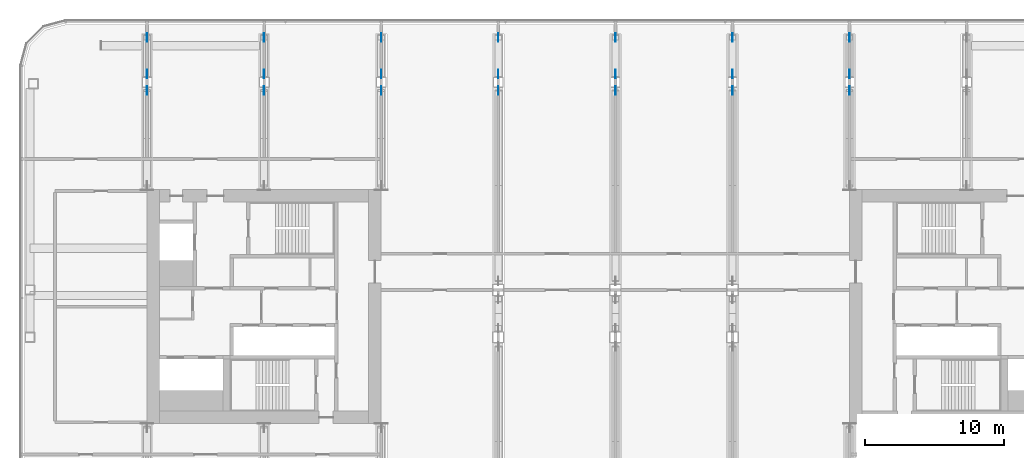
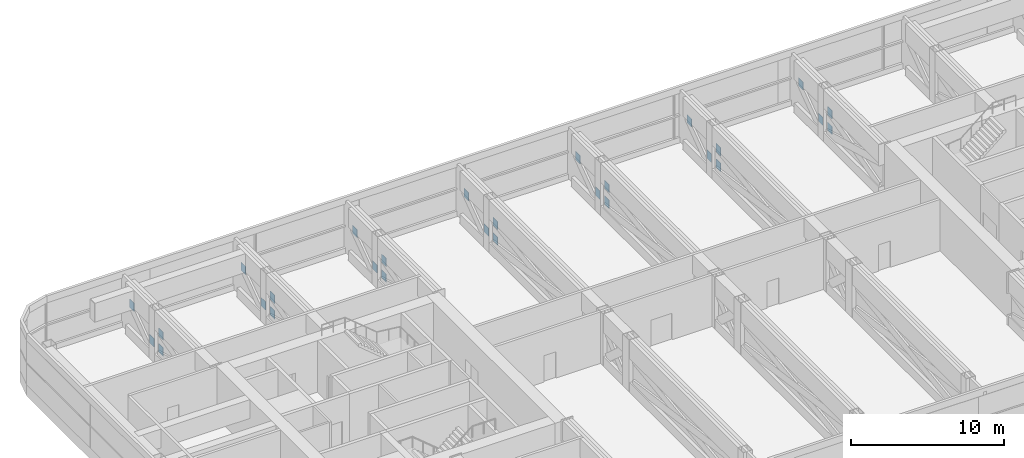
# One storey, part 26 of 33: 28 discrete accessories.
"""IFC4 building model written with IfcOpenShell, lengths in metres."""

from ifc_helpers import new_model, si_unit, direction, frame, origin, origin_2d, place, context, subcontext, project, spatial, rectangle, extrude, material, material_profile, profile_set, type_object, element, save


model = new_model("IFC4")

# Units and contexts
model_context = context("Model", 3, precision=1e-05, world=origin(), true_north=direction((0.0, 1.0)))
body_context = subcontext(model_context, "Body", "Model", "MODEL_VIEW")
ifc_project = project(units=[si_unit("LENGTHUNIT", "METRE"), si_unit("AREAUNIT", "SQUARE_METRE"), si_unit("VOLUMEUNIT", "CUBIC_METRE"), si_unit("PLANEANGLEUNIT", "RADIAN"), si_unit("MASSUNIT", "GRAM", prefix="KILO")], contexts=[model_context])

# Site, building, storey
site_placement = place(None, origin())
site = spatial("IfcSite", under=ifc_project, at=site_placement, CompositionType="ELEMENT")
building_placement = place(site_placement, origin())
building = spatial("IfcBuilding", under=site, at=building_placement, Name="Hakoniwa Tower and Hamabe Station Hall", CompositionType="ELEMENT")
storey_placement = place(building_placement, frame((0.0, 0.0, 175.800048828125)))
storey = spatial("IfcBuildingStorey", under=building, at=storey_placement, Name="L50", CompositionType="ELEMENT", Elevation=175.800048828125)

# Discrete accessories
ifc_material = material(Name="Steel SN490C", Category="steel")
ifc_material_profile = material_profile(ifc_material, rectangle(XDim=0.60009765625, YDim=0.659912109375, at=origin_2d()), Name="GUSSET PLATE BX-600x500x28")
ifc_profile_set = profile_set([ifc_material_profile], Name="Steel SN490C")
discrete_accessory_type = type_object("IfcDiscreteAccessoryType", Name="GUSSET PLATE BX-600x500x28", PredefinedType="USERDEFINED", material=ifc_profile_set)
for number, where, z_axis, x_axis, name in (
    (1, (-33.58740234375, 15.5, 2.27001953125), (-1.0, 0.0, 0.0), (0.0, -1.0, 0.0), "Gusset plate T3-006-D01A"),
    (2, (-33.58740234375, 15.5, 1.030029296875), (-1.0, 0.0, 0.0), (0.0, -1.0, 0.0), "Gusset plate T3-006-D01B"),
    (3, (-33.58740234375, 16.699951171875, 1.030029296875), (-1.0, 0.0, 0.0), (0.0, -1.0, 0.0), "Gusset plate T3-006-DHA"),
    (4, (-33.58740234375, 19.300048828125, 2.27001953125), (-1.0, 0.0, 0.0), (0.0, -1.0, 0.0), "Gusset plate T3-006-DHA"),
):
    element("IfcDiscreteAccessory", number, at=place(storey_placement, frame(where, z_axis=z_axis, x_axis=x_axis)), inside=storey, type_object=discrete_accessory_type, Name=name, ObjectType="GUSSET PLATE", PredefinedType="USERDEFINED", context=body_context, shape_type="SweptSolid", body=[
        extrude(rectangle(XDim=0.60009765625, YDim=0.659912109375, at=origin_2d()), origin(), (0.0, 0.0, 1.0), 0.025146484375),
    ])
for number, where, z_axis, x_axis, name in (
    (5, (-25.1875, 15.5, 2.27001953125), (-1.0, 0.0, 0.0), (0.0, -1.0, 0.0), "Gusset plate T3-008-D01A"),
    (6, (-25.1875, 15.5, 1.030029296875), (-1.0, 0.0, 0.0), (0.0, -1.0, 0.0), "Gusset plate T3-008-D01B"),
    (7, (-25.1875, 16.699951171875, 1.030029296875), (-1.0, 0.0, 0.0), (0.0, -1.0, 0.0), "Gusset plate T3-008-DHA"),
    (8, (-25.1875, 19.300048828125, 2.27001953125), (-1.0, 0.0, 0.0), (0.0, -1.0, 0.0), "Gusset plate T3-008-DHA"),
    (9, (-16.78759765625, 15.5, 2.27001953125), (-1.0, 0.0, 0.0), (0.0, -1.0, 0.0), "Gusset plate T3-010-D01A"),
    (10, (-16.78759765625, 15.5, 1.030029296875), (-1.0, 0.0, 0.0), (0.0, -1.0, 0.0), "Gusset plate T3-010-D01B"),
    (11, (-16.78759765625, 16.699951171875, 1.030029296875), (-1.0, 0.0, 0.0), (0.0, -1.0, 0.0), "Gusset plate T3-010-DHA"),
    (12, (-16.78759765625, 19.300048828125, 2.27001953125), (-1.0, 0.0, 0.0), (0.0, -1.0, 0.0), "Gusset plate T3-010-DHA"),
):
    element("IfcDiscreteAccessory", number, at=place(storey_placement, frame(where, z_axis=z_axis, x_axis=x_axis)), inside=storey, type_object=discrete_accessory_type, Name=name, ObjectType="GUSSET PLATE", PredefinedType="USERDEFINED", context=body_context, shape_type="SweptSolid", body=[
        extrude(rectangle(XDim=0.60009765625, YDim=0.659912109375, at=origin_2d()), origin(), (0.0, 0.0, 1.0), 0.02490234375),
    ])
for number, where, z_axis, x_axis, name in (
    (13, (-8.387451171875, 15.5, 2.27001953125), (-1.0, 0.0, 0.0), (0.0, -1.0, 0.0), "Gusset plate T3-011-D03A"),
    (14, (-8.387451171875, 15.5, 1.030029296875), (-1.0, 0.0, 0.0), (0.0, -1.0, 0.0), "Gusset plate T3-011-D03B"),
    (15, (-8.387451171875, 16.699951171875, 1.030029296875), (-1.0, 0.0, 0.0), (0.0, -1.0, 0.0), "Gusset plate T3-011-DHA"),
    (16, (-8.387451171875, 19.300048828125, 2.27001953125), (-1.0, 0.0, 0.0), (0.0, -1.0, 0.0), "Gusset plate T3-011-DHA"),
):
    element("IfcDiscreteAccessory", number, at=place(storey_placement, frame(where, z_axis=z_axis, x_axis=x_axis)), inside=storey, type_object=discrete_accessory_type, Name=name, ObjectType="GUSSET PLATE", PredefinedType="USERDEFINED", context=body_context, shape_type="SweptSolid", body=[
        extrude(rectangle(XDim=0.60009765625, YDim=0.659912109375, at=origin_2d()), origin(), (0.0, 0.0, 1.0), 0.025146484375),
    ])
for number, where, z_axis, x_axis, name in (
    (17, (0.012451171875, 15.5, 2.27001953125), (-1.0, 0.0, 0.0), (0.0, -1.0, 0.0), "Gusset plate T3-012-D03A"),
    (18, (0.012451171875, 15.5, 1.030029296875), (-1.0, 0.0, 0.0), (0.0, -1.0, 0.0), "Gusset plate T3-012-D03B"),
    (19, (0.012451171875, 16.699951171875, 1.030029296875), (-1.0, 0.0, 0.0), (0.0, -1.0, 0.0), "Gusset plate T3-012-DHA"),
    (20, (0.012451171875, 19.300048828125, 2.27001953125), (-1.0, 0.0, 0.0), (0.0, -1.0, 0.0), "Gusset plate T3-012-DHA"),
):
    element("IfcDiscreteAccessory", number, at=place(storey_placement, frame(where, z_axis=z_axis, x_axis=x_axis)), inside=storey, type_object=discrete_accessory_type, Name=name, ObjectType="GUSSET PLATE", PredefinedType="USERDEFINED", context=body_context, shape_type="SweptSolid", body=[
        extrude(rectangle(XDim=0.60009765625, YDim=0.659912109375, at=origin_2d()), origin(), (0.0, 0.0, 1.0), 0.02490234375),
    ])
for number, where, z_axis, x_axis, name in (
    (21, (8.41259765625, 15.5, 2.27001953125), (-1.0, 0.0, 0.0), (0.0, -1.0, 0.0), "Gusset plate T3-013-D03A"),
    (22, (8.41259765625, 15.5, 1.030029296875), (-1.0, 0.0, 0.0), (0.0, -1.0, 0.0), "Gusset plate T3-013-D03B"),
    (23, (8.41259765625, 16.699951171875, 1.030029296875), (-1.0, 0.0, 0.0), (0.0, -1.0, 0.0), "Gusset plate T3-013-DHA"),
    (24, (8.41259765625, 19.300048828125, 2.27001953125), (-1.0, 0.0, 0.0), (0.0, -1.0, 0.0), "Gusset plate T3-013-DHA"),
):
    element("IfcDiscreteAccessory", number, at=place(storey_placement, frame(where, z_axis=z_axis, x_axis=x_axis)), inside=storey, type_object=discrete_accessory_type, Name=name, ObjectType="GUSSET PLATE", PredefinedType="USERDEFINED", context=body_context, shape_type="SweptSolid", body=[
        extrude(rectangle(XDim=0.60009765625, YDim=0.659912109375, at=origin_2d()), origin(), (0.0, 0.0, 1.0), 0.025146484375),
    ])
for number, where, z_axis, x_axis, name in (
    (25, (16.8125, 15.5, 2.27001953125), (-1.0, 0.0, 0.0), (0.0, -1.0, 0.0), "Gusset plate T3-015-D01A"),
    (26, (16.8125, 15.5, 1.030029296875), (-1.0, 0.0, 0.0), (0.0, -1.0, 0.0), "Gusset plate T3-015-D01B"),
    (27, (16.8125, 16.699951171875, 1.030029296875), (-1.0, 0.0, 0.0), (0.0, -1.0, 0.0), "Gusset plate T3-015-DHA"),
    (28, (16.8125, 19.300048828125, 2.27001953125), (-1.0, 0.0, 0.0), (0.0, -1.0, 0.0), "Gusset plate T3-015-DHA"),
):
    element("IfcDiscreteAccessory", number, at=place(storey_placement, frame(where, z_axis=z_axis, x_axis=x_axis)), inside=storey, type_object=discrete_accessory_type, Name=name, ObjectType="GUSSET PLATE", PredefinedType="USERDEFINED", context=body_context, shape_type="SweptSolid", body=[
        extrude(rectangle(XDim=0.60009765625, YDim=0.659912109375, at=origin_2d()), origin(), (0.0, 0.0, 1.0), 0.02490234375),
    ])

save(model, "model.ifc")
